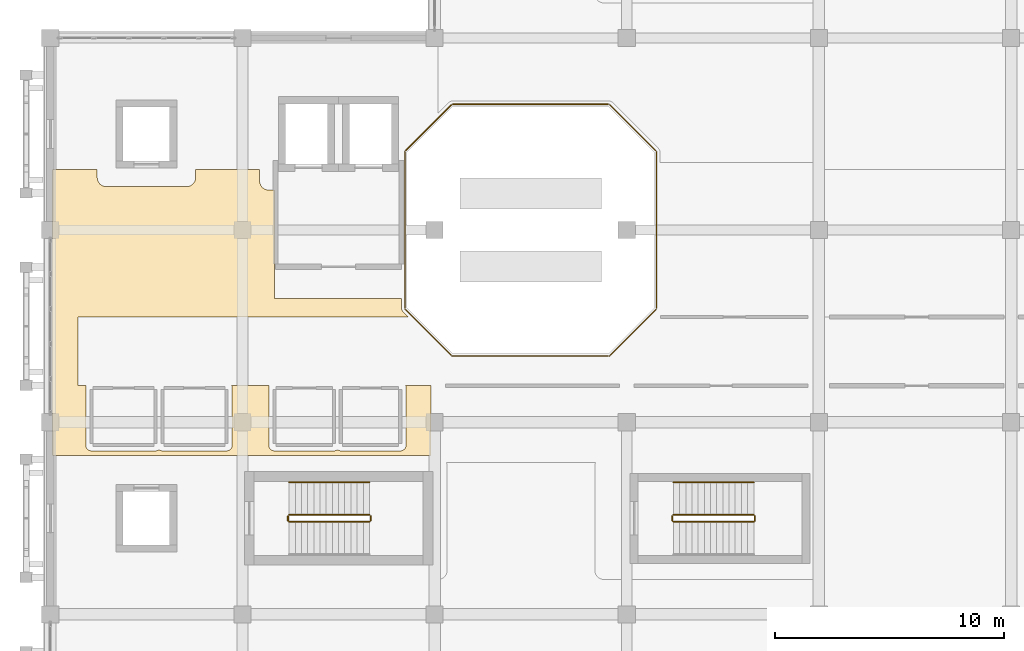
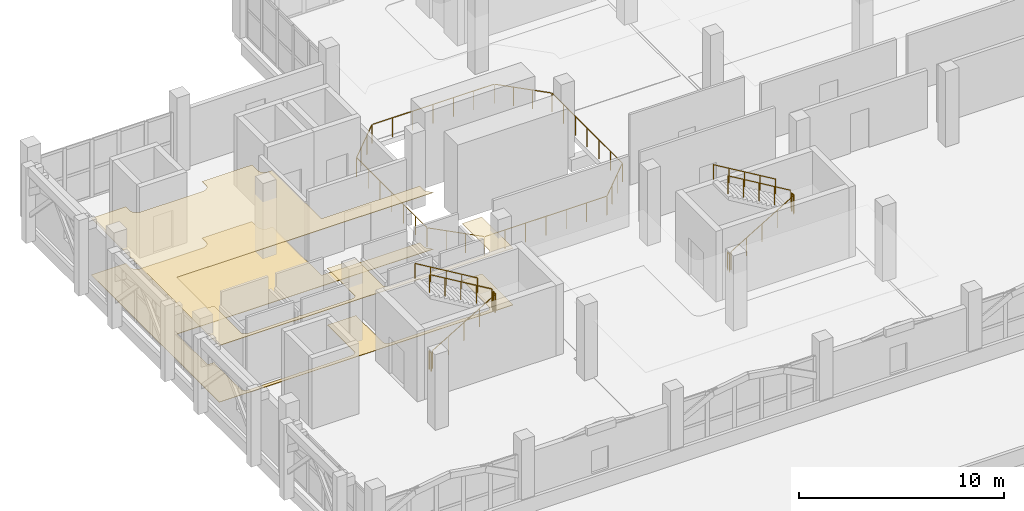
# One storey, part 110 of 114: 11 railings, 2 coverings.
"""IFC4 building model written with IfcOpenShell, lengths in metres."""

from ifc_helpers import new_model, si_unit, direction, frame, origin, origin_2d, place, context, subcontext, project, spatial, polyline, circle, outline, extrude, material, layer, layer_set, type_object, element, save


model = new_model("IFC4")

# Units and contexts
model_context = context("Model", 3, precision=1e-05, world=origin(), true_north=direction((0.0, 1.0)))
body_context = subcontext(model_context, "Body", "Model", "MODEL_VIEW")
ifc_project = project(units=[si_unit("LENGTHUNIT", "METRE"), si_unit("AREAUNIT", "SQUARE_METRE"), si_unit("VOLUMEUNIT", "CUBIC_METRE"), si_unit("PLANEANGLEUNIT", "RADIAN"), si_unit("MASSUNIT", "GRAM", prefix="KILO")], contexts=[model_context])

# Site, building, storey
site_placement = place(None, origin())
site = spatial("IfcSite", under=ifc_project, at=site_placement, CompositionType="ELEMENT")
building_placement = place(site_placement, origin())
building = spatial("IfcBuilding", under=site, at=building_placement, Name="Xazarin Passage Department Store", CompositionType="ELEMENT")
storey_placement = place(building_placement, frame((0.0, 0.0, 14.39990234375)))
storey = spatial("IfcBuildingStorey", under=building, at=storey_placement, Name="L03", CompositionType="ELEMENT", Elevation=14.39990234375)

# Coverings
ifc_material_1 = material(Name="Acoustic mineral ceiling")
ifc_layer_1 = layer(ifc_material_1, 0.030029296875)
ifc_layer_set_1 = layer_set([ifc_layer_1], Name="Acoustic mineral ceiling")
covering_type_1 = type_object("IfcCoveringType", Name="ARC-COV-CLG030", PredefinedType="CEILING", material=ifc_layer_set_1)
covering_1_placement = place(storey_placement, frame((0.0, 0.0, 3.3701171875)))
element("IfcCovering", 1, at=covering_1_placement, inside=storey, type_object=covering_type_1, Name="L03 Youth Apparel Hall Acoustic Ceiling", PredefinedType="CEILING", context=body_context, shape_type="SweptSolid", body=[
    extrude(outline(polyline([(6.35009765625, 95.85009765625), (6.35009765625, 95.5), (6.34814453125, 95.460693359375), (6.34228515625, 95.422119140625), (6.332763671875, 95.3837890625), (6.319580078125, 95.346923828125), (6.302734375, 95.311279296875), (6.28271484375, 95.27783203125), (6.25927734375, 95.24609375), (6.23291015625, 95.21728515625), (6.203857421875, 95.19091796875), (6.172119140625, 95.16748046875), (6.138671875, 95.147216796875), (6.10302734375, 95.13037109375), (6.066162109375, 95.1171875), (6.028076171875, 95.107666015625), (5.9892578125, 95.101806640625), (5.949951171875, 95.10009765625), (2.449951171875, 95.10009765625), (2.410888671875, 95.101806640625), (2.3720703125, 95.107666015625), (2.333984375, 95.1171875), (2.296875, 95.13037109375), (2.261474609375, 95.147216796875), (2.227783203125, 95.16748046875), (2.1962890625, 95.19091796875), (2.167236328125, 95.21728515625), (2.140869140625, 95.24609375), (2.117431640625, 95.27783203125), (2.09716796875, 95.311279296875), (2.080322265625, 95.346923828125), (2.067138671875, 95.3837890625), (2.0576171875, 95.422119140625), (2.052001953125, 95.460693359375), (2.050048828125, 95.5), (2.050048828125, 95.85009765625), (0.10009765625, 95.85009765625), (0.10009765625, 83.35009765625), (16.64990234375, 83.35009765625), (16.64990234375, 86.39990234375), (15.52880859375, 86.39990234375), (15.531005859375, 86.395751953125), (15.539306640625, 86.37255859375), (15.545166015625, 86.348876953125), (15.548828125, 86.324462890625), (15.550048828125, 86.300048828125), (15.550048828125, 83.800048828125), (15.548828125, 83.775390625), (15.545166015625, 83.751220703125), (15.539306640625, 83.727294921875), (15.531005859375, 83.704345703125), (15.5205078125, 83.68212890625), (15.5078125, 83.6611328125), (15.493408203125, 83.641357421875), (15.476806640625, 83.623291015625), (15.45849609375, 83.606689453125), (15.43896484375, 83.592041015625), (15.417724609375, 83.57958984375), (15.395751953125, 83.569091796875), (15.37255859375, 83.560791015625), (15.348876953125, 83.5546875), (15.324462890625, 83.55126953125), (15.300048828125, 83.550048828125), (12.699951171875, 83.550048828125), (12.675537109375, 83.55126953125), (12.651123046875, 83.5546875), (12.62744140625, 83.560791015625), (12.604248046875, 83.569091796875), (12.582275390625, 83.57958984375), (12.56103515625, 83.592041015625), (12.550048828125, 83.600341796875), (12.538818359375, 83.592041015625), (12.517822265625, 83.57958984375), (12.49560546875, 83.569091796875), (12.47265625, 83.560791015625), (12.44873046875, 83.5546875), (12.424560546875, 83.55126953125), (12.39990234375, 83.550048828125), (9.800048828125, 83.550048828125), (9.775390625, 83.55126953125), (9.751220703125, 83.5546875), (9.727294921875, 83.560791015625), (9.704345703125, 83.569091796875), (9.68212890625, 83.57958984375), (9.6611328125, 83.592041015625), (9.641357421875, 83.606689453125), (9.623291015625, 83.623291015625), (9.606689453125, 83.641357421875), (9.592041015625, 83.6611328125), (9.57958984375, 83.68212890625), (9.569091796875, 83.704345703125), (9.560791015625, 83.727294921875), (9.5546875, 83.751220703125), (9.55126953125, 83.775390625), (9.550048828125, 83.800048828125), (9.550048828125, 86.300048828125), (9.55126953125, 86.324462890625), (9.5546875, 86.348876953125), (9.560791015625, 86.37255859375), (9.569091796875, 86.395751953125), (9.571044921875, 86.39990234375), (7.928955078125, 86.39990234375), (7.930908203125, 86.395751953125), (7.939208984375, 86.37255859375), (7.9453125, 86.348876953125), (7.94873046875, 86.324462890625), (7.949951171875, 86.300048828125), (7.949951171875, 83.800048828125), (7.94873046875, 83.775390625), (7.9453125, 83.751220703125), (7.939208984375, 83.727294921875), (7.930908203125, 83.704345703125), (7.92041015625, 83.68212890625), (7.907958984375, 83.6611328125), (7.893310546875, 83.641357421875), (7.876708984375, 83.623291015625), (7.858642578125, 83.606689453125), (7.8388671875, 83.592041015625), (7.81787109375, 83.57958984375), (7.795654296875, 83.569091796875), (7.772705078125, 83.560791015625), (7.748779296875, 83.5546875), (7.724609375, 83.55126953125), (7.699951171875, 83.550048828125), (4.89990234375, 83.550048828125), (4.87548828125, 83.55126953125), (4.851318359375, 83.5546875), (4.827392578125, 83.560791015625), (4.80419921875, 83.569091796875), (4.7822265625, 83.57958984375), (4.760986328125, 83.592041015625), (4.75, 83.600341796875), (4.739013671875, 83.592041015625), (4.7177734375, 83.57958984375), (4.69580078125, 83.569091796875), (4.672607421875, 83.560791015625), (4.648681640625, 83.5546875), (4.62451171875, 83.55126953125), (4.60009765625, 83.550048828125), (1.800048828125, 83.550048828125), (1.775390625, 83.55126953125), (1.751220703125, 83.5546875), (1.727294921875, 83.560791015625), (1.704345703125, 83.569091796875), (1.68212890625, 83.57958984375), (1.6611328125, 83.592041015625), (1.641357421875, 83.606689453125), (1.623291015625, 83.623291015625), (1.606689453125, 83.641357421875), (1.592041015625, 83.6611328125), (1.57958984375, 83.68212890625), (1.569091796875, 83.704345703125), (1.560791015625, 83.727294921875), (1.5546875, 83.751220703125), (1.55126953125, 83.775390625), (1.550048828125, 83.800048828125), (1.550048828125, 86.300048828125), (1.55126953125, 86.324462890625), (1.5546875, 86.348876953125), (1.560791015625, 86.37255859375), (1.569091796875, 86.395751953125), (1.571044921875, 86.39990234375), (1.199951171875, 86.39990234375), (1.199951171875, 89.39990234375), (15.646484375, 89.39990234375), (15.423095703125, 89.623291015625), (15.40673828125, 89.641357421875), (15.39208984375, 89.6611328125), (15.37939453125, 89.68212890625), (15.368896484375, 89.704345703125), (15.36083984375, 89.727294921875), (15.354736328125, 89.751220703125), (15.351318359375, 89.775390625), (15.35009765625, 89.800048828125), (15.35009765625, 90.199951171875), (9.800048828125, 90.199951171875), (9.800048828125, 94.949951171875), (9.550048828125, 94.949951171875), (9.5107421875, 94.951904296875), (9.471923828125, 94.957763671875), (9.433837890625, 94.96728515625), (9.39697265625, 94.98046875), (9.361328125, 94.997314453125), (9.327880859375, 95.017333984375), (9.296142578125, 95.040771484375), (9.26708984375, 95.067138671875), (9.24072265625, 95.09619140625), (9.21728515625, 95.127685546875), (9.197265625, 95.161376953125), (9.180419921875, 95.197021484375), (9.167236328125, 95.23388671875), (9.15771484375, 95.27197265625), (9.15185546875, 95.310791015625), (9.14990234375, 95.35009765625), (9.14990234375, 95.85009765625), (6.35009765625, 95.85009765625)])), origin(), (0.0, 0.0, 1.0), 0.030029296875),
])
ifc_material_2 = material(Name="Terrazzo stone flooring", Category="masonry")
ifc_layer_2 = layer(ifc_material_2, 0.02490234375)
ifc_layer_set_2 = layer_set([ifc_layer_2], Name="Terrazzo stone flooring")
covering_type_2 = type_object("IfcCoveringType", Name="ARC-COV-FLR025", PredefinedType="FLOORING", material=ifc_layer_set_2)
covering_2_placement = place(storey_placement, origin())
element("IfcCovering", 2, at=covering_2_placement, inside=storey, type_object=covering_type_2, Name="L03 Youth Apparel Hall Terrazzo Flooring", PredefinedType="FLOORING", context=body_context, shape_type="SweptSolid", body=[
    extrude(outline(polyline([(6.35009765625, 95.85009765625), (6.35009765625, 95.5), (6.34814453125, 95.460693359375), (6.34228515625, 95.422119140625), (6.332763671875, 95.3837890625), (6.319580078125, 95.346923828125), (6.302734375, 95.311279296875), (6.28271484375, 95.27783203125), (6.25927734375, 95.24609375), (6.23291015625, 95.21728515625), (6.203857421875, 95.19091796875), (6.172119140625, 95.16748046875), (6.138671875, 95.147216796875), (6.10302734375, 95.13037109375), (6.066162109375, 95.1171875), (6.028076171875, 95.107666015625), (5.9892578125, 95.101806640625), (5.949951171875, 95.10009765625), (2.449951171875, 95.10009765625), (2.410888671875, 95.101806640625), (2.3720703125, 95.107666015625), (2.333984375, 95.1171875), (2.296875, 95.13037109375), (2.261474609375, 95.147216796875), (2.227783203125, 95.16748046875), (2.1962890625, 95.19091796875), (2.167236328125, 95.21728515625), (2.140869140625, 95.24609375), (2.117431640625, 95.27783203125), (2.09716796875, 95.311279296875), (2.080322265625, 95.346923828125), (2.067138671875, 95.3837890625), (2.0576171875, 95.422119140625), (2.052001953125, 95.460693359375), (2.050048828125, 95.5), (2.050048828125, 95.85009765625), (0.10009765625, 95.85009765625), (0.10009765625, 83.35009765625), (16.64990234375, 83.35009765625), (16.64990234375, 86.39990234375), (15.52880859375, 86.39990234375), (15.531005859375, 86.395751953125), (15.539306640625, 86.37255859375), (15.545166015625, 86.348876953125), (15.548828125, 86.324462890625), (15.550048828125, 86.300048828125), (15.550048828125, 83.800048828125), (15.548828125, 83.775390625), (15.545166015625, 83.751220703125), (15.539306640625, 83.727294921875), (15.531005859375, 83.704345703125), (15.5205078125, 83.68212890625), (15.5078125, 83.6611328125), (15.493408203125, 83.641357421875), (15.476806640625, 83.623291015625), (15.45849609375, 83.606689453125), (15.43896484375, 83.592041015625), (15.417724609375, 83.57958984375), (15.395751953125, 83.569091796875), (15.37255859375, 83.560791015625), (15.348876953125, 83.5546875), (15.324462890625, 83.55126953125), (15.300048828125, 83.550048828125), (12.699951171875, 83.550048828125), (12.675537109375, 83.55126953125), (12.651123046875, 83.5546875), (12.62744140625, 83.560791015625), (12.604248046875, 83.569091796875), (12.582275390625, 83.57958984375), (12.56103515625, 83.592041015625), (12.550048828125, 83.600341796875), (12.538818359375, 83.592041015625), (12.517822265625, 83.57958984375), (12.49560546875, 83.569091796875), (12.47265625, 83.560791015625), (12.44873046875, 83.5546875), (12.424560546875, 83.55126953125), (12.39990234375, 83.550048828125), (9.800048828125, 83.550048828125), (9.775390625, 83.55126953125), (9.751220703125, 83.5546875), (9.727294921875, 83.560791015625), (9.704345703125, 83.569091796875), (9.68212890625, 83.57958984375), (9.6611328125, 83.592041015625), (9.641357421875, 83.606689453125), (9.623291015625, 83.623291015625), (9.606689453125, 83.641357421875), (9.592041015625, 83.6611328125), (9.57958984375, 83.68212890625), (9.569091796875, 83.704345703125), (9.560791015625, 83.727294921875), (9.5546875, 83.751220703125), (9.55126953125, 83.775390625), (9.550048828125, 83.800048828125), (9.550048828125, 86.300048828125), (9.55126953125, 86.324462890625), (9.5546875, 86.348876953125), (9.560791015625, 86.37255859375), (9.569091796875, 86.395751953125), (9.571044921875, 86.39990234375), (7.928955078125, 86.39990234375), (7.930908203125, 86.395751953125), (7.939208984375, 86.37255859375), (7.9453125, 86.348876953125), (7.94873046875, 86.324462890625), (7.949951171875, 86.300048828125), (7.949951171875, 83.800048828125), (7.94873046875, 83.775390625), (7.9453125, 83.751220703125), (7.939208984375, 83.727294921875), (7.930908203125, 83.704345703125), (7.92041015625, 83.68212890625), (7.907958984375, 83.6611328125), (7.893310546875, 83.641357421875), (7.876708984375, 83.623291015625), (7.858642578125, 83.606689453125), (7.8388671875, 83.592041015625), (7.81787109375, 83.57958984375), (7.795654296875, 83.569091796875), (7.772705078125, 83.560791015625), (7.748779296875, 83.5546875), (7.724609375, 83.55126953125), (7.699951171875, 83.550048828125), (4.89990234375, 83.550048828125), (4.87548828125, 83.55126953125), (4.851318359375, 83.5546875), (4.827392578125, 83.560791015625), (4.80419921875, 83.569091796875), (4.7822265625, 83.57958984375), (4.760986328125, 83.592041015625), (4.75, 83.600341796875), (4.739013671875, 83.592041015625), (4.7177734375, 83.57958984375), (4.69580078125, 83.569091796875), (4.672607421875, 83.560791015625), (4.648681640625, 83.5546875), (4.62451171875, 83.55126953125), (4.60009765625, 83.550048828125), (1.800048828125, 83.550048828125), (1.775390625, 83.55126953125), (1.751220703125, 83.5546875), (1.727294921875, 83.560791015625), (1.704345703125, 83.569091796875), (1.68212890625, 83.57958984375), (1.6611328125, 83.592041015625), (1.641357421875, 83.606689453125), (1.623291015625, 83.623291015625), (1.606689453125, 83.641357421875), (1.592041015625, 83.6611328125), (1.57958984375, 83.68212890625), (1.569091796875, 83.704345703125), (1.560791015625, 83.727294921875), (1.5546875, 83.751220703125), (1.55126953125, 83.775390625), (1.550048828125, 83.800048828125), (1.550048828125, 86.300048828125), (1.55126953125, 86.324462890625), (1.5546875, 86.348876953125), (1.560791015625, 86.37255859375), (1.569091796875, 86.395751953125), (1.571044921875, 86.39990234375), (1.199951171875, 86.39990234375), (1.199951171875, 89.39990234375), (15.646484375, 89.39990234375), (15.423095703125, 89.623291015625), (15.40673828125, 89.641357421875), (15.39208984375, 89.6611328125), (15.37939453125, 89.68212890625), (15.368896484375, 89.704345703125), (15.36083984375, 89.727294921875), (15.354736328125, 89.751220703125), (15.351318359375, 89.775390625), (15.35009765625, 89.800048828125), (15.35009765625, 90.199951171875), (9.800048828125, 90.199951171875), (9.800048828125, 94.949951171875), (9.550048828125, 94.949951171875), (9.5107421875, 94.951904296875), (9.471923828125, 94.957763671875), (9.433837890625, 94.96728515625), (9.39697265625, 94.98046875), (9.361328125, 94.997314453125), (9.327880859375, 95.017333984375), (9.296142578125, 95.040771484375), (9.26708984375, 95.067138671875), (9.24072265625, 95.09619140625), (9.21728515625, 95.127685546875), (9.197265625, 95.161376953125), (9.180419921875, 95.197021484375), (9.167236328125, 95.23388671875), (9.15771484375, 95.27197265625), (9.15185546875, 95.310791015625), (9.14990234375, 95.35009765625), (9.14990234375, 95.85009765625), (6.35009765625, 95.85009765625)])), origin(), (0.0, 0.0, 1.0), 0.025146484375),
])

# Railings
ifc_material_3 = material(Name="Low-E laminated safety glass", Category="glass")
railing_type_1 = type_object("IfcRailingType", Name="ARC-RL-BAL115", PredefinedType="BALUSTRADE", material=ifc_material_3)
railing_1_placement = place(storey_placement, frame((15.5, 96.641357421875, 0.0)))
element("IfcRailing", 3, at=railing_1_placement, inside=storey, type_object=railing_type_1, Name="L03 Void Edge Balustrade 0012", PredefinedType="BALUSTRADE", context=body_context, shape_type="SweptSolid", body=[
    extrude(circle(Radius=0.02392578125, at=origin_2d()), frame((0.0, -0.03125, 1.1259765625), z_axis=(0.0, -1.0, 0.0), x_axis=(1.0, 0.0, 0.0)), (0.0, 0.0, 1.0), 6.8203125),
    extrude(circle(Radius=0.02392578125, at=origin_2d()), frame((0.022216796875, -6.905029296875, 1.1259765625), z_axis=(0.707106781187, -0.707106781187, 0.0), x_axis=(0.707106781187, 0.707106781187, 0.0)), (0.0, 0.0, 1.0), 2.848876953125),
    extrude(circle(Radius=0.02392578125, at=origin_2d()), frame((2.08984375, -8.94140625, 1.1259765625), z_axis=(1.0, 0.0, 0.0), x_axis=(0.0, 1.0, 0.0)), (0.0, 0.0, 1.0), 6.8203125),
    extrude(circle(Radius=0.02392578125, at=origin_2d()), frame((8.963623046875, -8.919189453125, 1.1259765625), z_axis=(0.707106781187, 0.707106781187, 0.0), x_axis=(-0.707106781187, 0.707106781187, 0.0)), (0.0, 0.0, 1.0), 2.848876953125),
    extrude(circle(Radius=0.02392578125, at=origin_2d()), frame((11.0, -6.8515625, 1.1259765625), z_axis=(0.0, 1.0, 0.0), x_axis=(-1.0, 0.0, 0.0)), (0.0, 0.0, 1.0), 6.8203125),
    extrude(circle(Radius=0.02392578125, at=origin_2d()), frame((10.977783203125, 0.022216796875, 1.1259765625), z_axis=(-0.707106781187, 0.707106781187, 0.0), x_axis=(-0.707106781187, -0.707106781187, 0.0)), (0.0, 0.0, 1.0), 2.848876953125),
    extrude(circle(Radius=0.02392578125, at=origin_2d()), frame((8.91015625, 2.05859375, 1.1259765625), z_axis=(-1.0, 0.0, 0.0), x_axis=(0.0, -1.0, 0.0)), (0.0, 0.0, 1.0), 6.8203125),
    extrude(circle(Radius=0.02392578125, at=origin_2d()), frame((2.036376953125, 2.036376953125, 1.1259765625), z_axis=(-0.707106781187, -0.707106781187, 0.0), x_axis=(0.707106781187, -0.707106781187, 0.0)), (0.0, 0.0, 1.0), 2.848876953125),
    extrude(circle(Radius=0.02099609375, at=origin_2d()), origin(), (0.0, 0.0, 1.0), 1.1015625),
    extrude(circle(Radius=0.02099609375, at=origin_2d()), frame((0.0, -1.147216796875, 0.0)), (0.0, 0.0, 1.0), 1.1015625),
    extrude(circle(Radius=0.02099609375, at=origin_2d()), frame((0.0, -2.294189453125, 0.0)), (0.0, 0.0, 1.0), 1.1015625),
    extrude(circle(Radius=0.02099609375, at=origin_2d()), frame((0.0, -3.44140625, 0.0)), (0.0, 0.0, 1.0), 1.1015625),
    extrude(circle(Radius=0.02099609375, at=origin_2d()), frame((0.0, -4.588623046875, 0.0)), (0.0, 0.0, 1.0), 1.1015625),
    extrude(circle(Radius=0.02099609375, at=origin_2d()), frame((0.0, -5.735595703125, 0.0)), (0.0, 0.0, 1.0), 1.1015625),
    extrude(circle(Radius=0.02099609375, at=origin_2d()), frame((0.0, -6.8828125, 0.0)), (0.0, 0.0, 1.0), 1.1015625),
    extrude(circle(Radius=0.02099609375, at=origin_2d()), frame((0.686279296875, -7.569091796875, 0.0)), (0.0, 0.0, 1.0), 1.1015625),
    extrude(circle(Radius=0.02099609375, at=origin_2d()), frame((1.372314453125, -8.255126953125, 0.0)), (0.0, 0.0, 1.0), 1.1015625),
    extrude(circle(Radius=0.02099609375, at=origin_2d()), frame((2.05859375, -8.94140625, 0.0)), (0.0, 0.0, 1.0), 1.1015625),
    extrude(circle(Radius=0.02099609375, at=origin_2d()), frame((3.205810546875, -8.94140625, 0.0)), (0.0, 0.0, 1.0), 1.1015625),
    extrude(circle(Radius=0.02099609375, at=origin_2d()), frame((4.352783203125, -8.94140625, 0.0)), (0.0, 0.0, 1.0), 1.1015625),
    extrude(circle(Radius=0.02099609375, at=origin_2d()), frame((5.5, -8.94140625, 0.0)), (0.0, 0.0, 1.0), 1.1015625),
    extrude(circle(Radius=0.02099609375, at=origin_2d()), frame((6.647216796875, -8.94140625, 0.0)), (0.0, 0.0, 1.0), 1.1015625),
    extrude(circle(Radius=0.02099609375, at=origin_2d()), frame((7.794189453125, -8.94140625, 0.0)), (0.0, 0.0, 1.0), 1.1015625),
    extrude(circle(Radius=0.02099609375, at=origin_2d()), frame((8.94140625, -8.94140625, 0.0)), (0.0, 0.0, 1.0), 1.1015625),
    extrude(circle(Radius=0.02099609375, at=origin_2d()), frame((9.627685546875, -8.255126953125, 0.0)), (0.0, 0.0, 1.0), 1.1015625),
    extrude(circle(Radius=0.02099609375, at=origin_2d()), frame((10.313720703125, -7.569091796875, 0.0)), (0.0, 0.0, 1.0), 1.1015625),
    extrude(circle(Radius=0.02099609375, at=origin_2d()), frame((11.0, -6.8828125, 0.0)), (0.0, 0.0, 1.0), 1.1015625),
    extrude(circle(Radius=0.02099609375, at=origin_2d()), frame((11.0, -5.735595703125, 0.0)), (0.0, 0.0, 1.0), 1.1015625),
    extrude(circle(Radius=0.02099609375, at=origin_2d()), frame((11.0, -4.588623046875, 0.0)), (0.0, 0.0, 1.0), 1.1015625),
    extrude(circle(Radius=0.02099609375, at=origin_2d()), frame((11.0, -3.44140625, 0.0)), (0.0, 0.0, 1.0), 1.1015625),
    extrude(circle(Radius=0.02099609375, at=origin_2d()), frame((11.0, -2.294189453125, 0.0)), (0.0, 0.0, 1.0), 1.1015625),
    extrude(circle(Radius=0.02099609375, at=origin_2d()), frame((11.0, -1.147216796875, 0.0)), (0.0, 0.0, 1.0), 1.1015625),
    extrude(circle(Radius=0.02099609375, at=origin_2d()), frame((11.0, 0.0, 0.0)), (0.0, 0.0, 1.0), 1.1015625),
    extrude(circle(Radius=0.02099609375, at=origin_2d()), frame((10.313720703125, 0.686279296875, 0.0)), (0.0, 0.0, 1.0), 1.1015625),
    extrude(circle(Radius=0.02099609375, at=origin_2d()), frame((9.627685546875, 1.372314453125, 0.0)), (0.0, 0.0, 1.0), 1.1015625),
    extrude(circle(Radius=0.02099609375, at=origin_2d()), frame((8.94140625, 2.05859375, 0.0)), (0.0, 0.0, 1.0), 1.1015625),
    extrude(circle(Radius=0.02099609375, at=origin_2d()), frame((7.794189453125, 2.05859375, 0.0)), (0.0, 0.0, 1.0), 1.1015625),
    extrude(circle(Radius=0.02099609375, at=origin_2d()), frame((6.647216796875, 2.05859375, 0.0)), (0.0, 0.0, 1.0), 1.1015625),
    extrude(circle(Radius=0.02099609375, at=origin_2d()), frame((5.5, 2.05859375, 0.0)), (0.0, 0.0, 1.0), 1.1015625),
    extrude(circle(Radius=0.02099609375, at=origin_2d()), frame((4.352783203125, 2.05859375, 0.0)), (0.0, 0.0, 1.0), 1.1015625),
    extrude(circle(Radius=0.02099609375, at=origin_2d()), frame((3.205810546875, 2.05859375, 0.0)), (0.0, 0.0, 1.0), 1.1015625),
    extrude(circle(Radius=0.02099609375, at=origin_2d()), frame((2.05859375, 2.05859375, 0.0)), (0.0, 0.0, 1.0), 1.1015625),
    extrude(circle(Radius=0.02099609375, at=origin_2d()), frame((1.372314453125, 1.372314453125, 0.0)), (0.0, 0.0, 1.0), 1.1015625),
    extrude(circle(Radius=0.02099609375, at=origin_2d()), frame((0.686279296875, 0.686279296875, 0.0)), (0.0, 0.0, 1.0), 1.1015625),
])
ifc_material_4 = material(Name="Steel S355", Category="steel")
railing_type_2 = type_object("IfcRailingType", Name="ARC-RL-GRD112", PredefinedType="GUARDRAIL", material=ifc_material_4)
railing_2_placement = place(storey_placement, frame((10.43994140625, 80.449951171875, 0.160888671875)))
element("IfcRailing", 4, at=railing_2_placement, inside=storey, type_object=railing_type_2, Name="L03 ST1 stair guard 1", PredefinedType="GUARDRAIL", context=body_context, shape_type="SweptSolid", body=[
    extrude(circle(Radius=0.02392578125, at=origin_2d()), frame((0.0, 0.0, 1.076171875), z_axis=(0.859312273368, 0.0, 0.511451284914), x_axis=(0.0, 1.0, 0.0)), (0.0, 0.0, 1.0), 4.084716796875),
    extrude(circle(Radius=0.02099609375, at=origin_2d()), origin(), (0.0, 0.0, 1.0), 1.0517578125),
    extrude(circle(Radius=0.02099609375, at=origin_2d()), frame((0.87744140625, 0.0, 0.522216796875)), (0.0, 0.0, 1.0), 1.0517578125),
    extrude(circle(Radius=0.02099609375, at=origin_2d()), frame((1.7548828125, 0.0, 1.04443359375)), (0.0, 0.0, 1.0), 1.0517578125),
    extrude(circle(Radius=0.02099609375, at=origin_2d()), frame((2.632568359375, 0.0, 1.56689453125)), (0.0, 0.0, 1.0), 1.0517578125),
    extrude(circle(Radius=0.02099609375, at=origin_2d()), frame((3.510009765625, 0.0, 2.089111328125)), (0.0, 0.0, 1.0), 1.0517578125),
])
railing_3_placement = place(storey_placement, frame((14.0, 80.5, 2.25)))
element("IfcRailing", 5, at=railing_3_placement, inside=storey, type_object=railing_type_2, Name="L03 ST1 stair guard 2", PredefinedType="GUARDRAIL", context=body_context, shape_type="SweptSolid", body=[
    extrude(circle(Radius=0.02392578125, at=origin_2d()), frame((0.0, 0.0, 1.076171875), z_axis=(0.0, 1.0, 0.0), x_axis=(-1.0, 0.0, 0.0)), (0.0, 0.0, 1.0), 0.199951171875),
    extrude(circle(Radius=0.02099609375, at=origin_2d()), origin(), (0.0, 0.0, 1.0), 1.0517578125),
    extrude(circle(Radius=0.02099609375, at=origin_2d()), frame((0.0, 0.199951171875, 0.0)), (0.0, 0.0, 1.0), 1.0517578125),
])
railing_4_placement = place(storey_placement, frame((13.949951171875, 80.75, 2.410888671875)))
element("IfcRailing", 6, at=railing_4_placement, inside=storey, type_object=railing_type_2, Name="L03 ST1 stair guard 3", PredefinedType="GUARDRAIL", context=body_context, shape_type="SweptSolid", body=[
    extrude(circle(Radius=0.02392578125, at=origin_2d()), frame((0.0, 0.0, 1.076171875), z_axis=(-0.859312273368, 0.0, 0.511451284914), x_axis=(0.0, -1.0, 0.0)), (0.0, 0.0, 1.0), 4.084716796875),
    extrude(circle(Radius=0.02099609375, at=origin_2d()), origin(), (0.0, 0.0, 1.0), 1.0517578125),
    extrude(circle(Radius=0.02099609375, at=origin_2d()), frame((-0.87744140625, 0.0, 0.522216796875)), (0.0, 0.0, 1.0), 1.0517578125),
    extrude(circle(Radius=0.02099609375, at=origin_2d()), frame((-1.7548828125, 0.0, 1.04443359375)), (0.0, 0.0, 1.0), 1.0517578125),
    extrude(circle(Radius=0.02099609375, at=origin_2d()), frame((-2.632568359375, 0.0, 1.56689453125)), (0.0, 0.0, 1.0), 1.0517578125),
    extrude(circle(Radius=0.02099609375, at=origin_2d()), frame((-3.510009765625, 0.0, 2.089111328125)), (0.0, 0.0, 1.0), 1.0517578125),
])
railing_5_placement = place(storey_placement, frame((10.389892578125, 80.5, 0.0)))
element("IfcRailing", 7, at=railing_5_placement, inside=storey, type_object=railing_type_2, Name="L03 ST1 stair guard 4", PredefinedType="GUARDRAIL", context=body_context, shape_type="SweptSolid", body=[
    extrude(circle(Radius=0.02392578125, at=origin_2d()), frame((0.0, 0.0, 1.076171875), z_axis=(0.0, 1.0, 0.0), x_axis=(-1.0, 0.0, 0.0)), (0.0, 0.0, 1.0), 0.199951171875),
    extrude(circle(Radius=0.02099609375, at=origin_2d()), origin(), (0.0, 0.0, 1.0), 1.0517578125),
    extrude(circle(Radius=0.02099609375, at=origin_2d()), frame((0.0, 0.199951171875, 0.0)), (0.0, 0.0, 1.0), 1.0517578125),
])
railing_6_placement = place(storey_placement, frame((27.239990234375, 80.449951171875, 0.160888671875)))
element("IfcRailing", 8, at=railing_6_placement, inside=storey, type_object=railing_type_2, Name="L03 ST3 stair guard 1", PredefinedType="GUARDRAIL", context=body_context, shape_type="SweptSolid", body=[
    extrude(circle(Radius=0.02392578125, at=origin_2d()), frame((0.0, 0.0, 1.076171875), z_axis=(0.859312273368, 0.0, 0.511451284914), x_axis=(0.0, 1.0, 0.0)), (0.0, 0.0, 1.0), 4.084716796875),
    extrude(circle(Radius=0.02099609375, at=origin_2d()), origin(), (0.0, 0.0, 1.0), 1.0517578125),
    extrude(circle(Radius=0.02099609375, at=origin_2d()), frame((0.87744140625, 0.0, 0.522216796875)), (0.0, 0.0, 1.0), 1.0517578125),
    extrude(circle(Radius=0.02099609375, at=origin_2d()), frame((1.7548828125, 0.0, 1.04443359375)), (0.0, 0.0, 1.0), 1.0517578125),
    extrude(circle(Radius=0.02099609375, at=origin_2d()), frame((2.632568359375, 0.0, 1.56689453125)), (0.0, 0.0, 1.0), 1.0517578125),
    extrude(circle(Radius=0.02099609375, at=origin_2d()), frame((3.510009765625, 0.0, 2.089111328125)), (0.0, 0.0, 1.0), 1.0517578125),
])
railing_7_placement = place(storey_placement, frame((30.800048828125, 80.5, 2.25)))
element("IfcRailing", 9, at=railing_7_placement, inside=storey, type_object=railing_type_2, Name="L03 ST3 stair guard 2", PredefinedType="GUARDRAIL", context=body_context, shape_type="SweptSolid", body=[
    extrude(circle(Radius=0.02392578125, at=origin_2d()), frame((0.0, 0.0, 1.076171875), z_axis=(0.0, 1.0, 0.0), x_axis=(-1.0, 0.0, 0.0)), (0.0, 0.0, 1.0), 0.199951171875),
    extrude(circle(Radius=0.02099609375, at=origin_2d()), origin(), (0.0, 0.0, 1.0), 1.0517578125),
    extrude(circle(Radius=0.02099609375, at=origin_2d()), frame((0.0, 0.199951171875, 0.0)), (0.0, 0.0, 1.0), 1.0517578125),
])
railing_8_placement = place(storey_placement, frame((30.75, 80.75, 2.410888671875)))
element("IfcRailing", 10, at=railing_8_placement, inside=storey, type_object=railing_type_2, Name="L03 ST3 stair guard 3", PredefinedType="GUARDRAIL", context=body_context, shape_type="SweptSolid", body=[
    extrude(circle(Radius=0.02392578125, at=origin_2d()), frame((0.0, 0.0, 1.076171875), z_axis=(-0.859312273368, 0.0, 0.511451284914), x_axis=(0.0, -1.0, 0.0)), (0.0, 0.0, 1.0), 4.084716796875),
    extrude(circle(Radius=0.02099609375, at=origin_2d()), origin(), (0.0, 0.0, 1.0), 1.0517578125),
    extrude(circle(Radius=0.02099609375, at=origin_2d()), frame((-0.87744140625, 0.0, 0.522216796875)), (0.0, 0.0, 1.0), 1.0517578125),
    extrude(circle(Radius=0.02099609375, at=origin_2d()), frame((-1.7548828125, 0.0, 1.04443359375)), (0.0, 0.0, 1.0), 1.0517578125),
    extrude(circle(Radius=0.02099609375, at=origin_2d()), frame((-2.632568359375, 0.0, 1.56689453125)), (0.0, 0.0, 1.0), 1.0517578125),
    extrude(circle(Radius=0.02099609375, at=origin_2d()), frame((-3.510009765625, 0.0, 2.089111328125)), (0.0, 0.0, 1.0), 1.0517578125),
])
railing_9_placement = place(storey_placement, frame((27.18994140625, 80.5, 0.0)))
element("IfcRailing", 11, at=railing_9_placement, inside=storey, type_object=railing_type_2, Name="L03 ST3 stair guard 4", PredefinedType="GUARDRAIL", context=body_context, shape_type="SweptSolid", body=[
    extrude(circle(Radius=0.02392578125, at=origin_2d()), frame((0.0, 0.0, 1.076171875), z_axis=(0.0, 1.0, 0.0), x_axis=(-1.0, 0.0, 0.0)), (0.0, 0.0, 1.0), 0.199951171875),
    extrude(circle(Radius=0.02099609375, at=origin_2d()), origin(), (0.0, 0.0, 1.0), 1.0517578125),
    extrude(circle(Radius=0.02099609375, at=origin_2d()), frame((0.0, 0.199951171875, 0.0)), (0.0, 0.0, 1.0), 1.0517578125),
])
railing_type_3 = type_object("IfcRailingType", Name="ARC-RL-HND090", PredefinedType="HANDRAIL", material=ifc_material_4)
for number, where, name in (
    (12, (13.949951171875, 82.169921875, 2.410888671875), "L03 ST1 stair handrail 2"),
    (13, (30.75, 82.169921875, 2.410888671875), "L03 ST3 stair handrail 2"),
):
    element("IfcRailing", number, at=place(storey_placement, frame(where)), inside=storey, type_object=railing_type_3, Name=name, PredefinedType="HANDRAIL", context=body_context, shape_type="SweptSolid", body=[
        extrude(circle(Radius=0.02392578125, at=origin_2d()), frame((0.0, 0.0, 0.8759765625), z_axis=(-0.859312273368, 0.0, 0.511451284914), x_axis=(0.0, -1.0, 0.0)), (0.0, 0.0, 1.0), 4.084716796875),
        extrude(circle(Radius=0.02099609375, at=origin_2d()), origin(), (0.0, 0.0, 1.0), 0.8515625),
        extrude(circle(Radius=0.02099609375, at=origin_2d()), frame((-0.87744140625, 0.0, 0.522216796875)), (0.0, 0.0, 1.0), 0.8515625),
        extrude(circle(Radius=0.02099609375, at=origin_2d()), frame((-1.7548828125, 0.0, 1.04443359375)), (0.0, 0.0, 1.0), 0.8515625),
        extrude(circle(Radius=0.02099609375, at=origin_2d()), frame((-2.632568359375, 0.0, 1.56689453125)), (0.0, 0.0, 1.0), 0.8515625),
        extrude(circle(Radius=0.02099609375, at=origin_2d()), frame((-3.510009765625, 0.0, 2.089111328125)), (0.0, 0.0, 1.0), 0.8515625),
    ])

save(model, "model.ifc")
